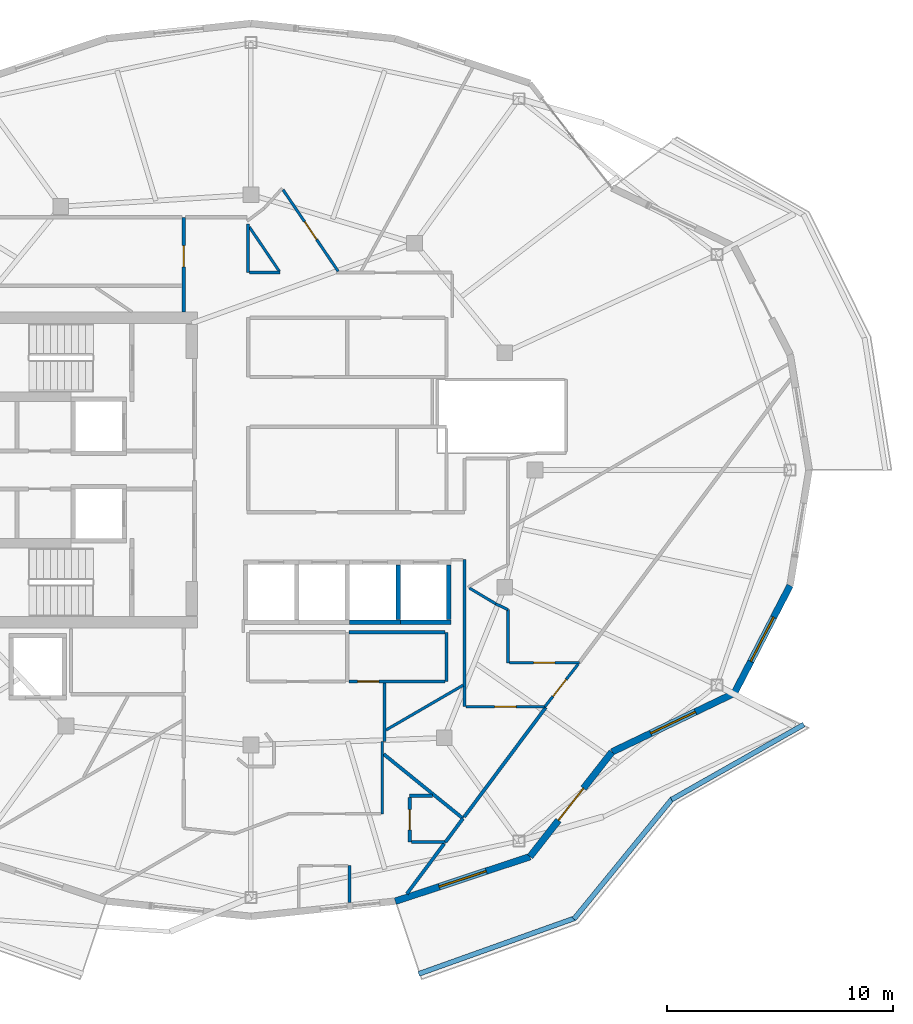
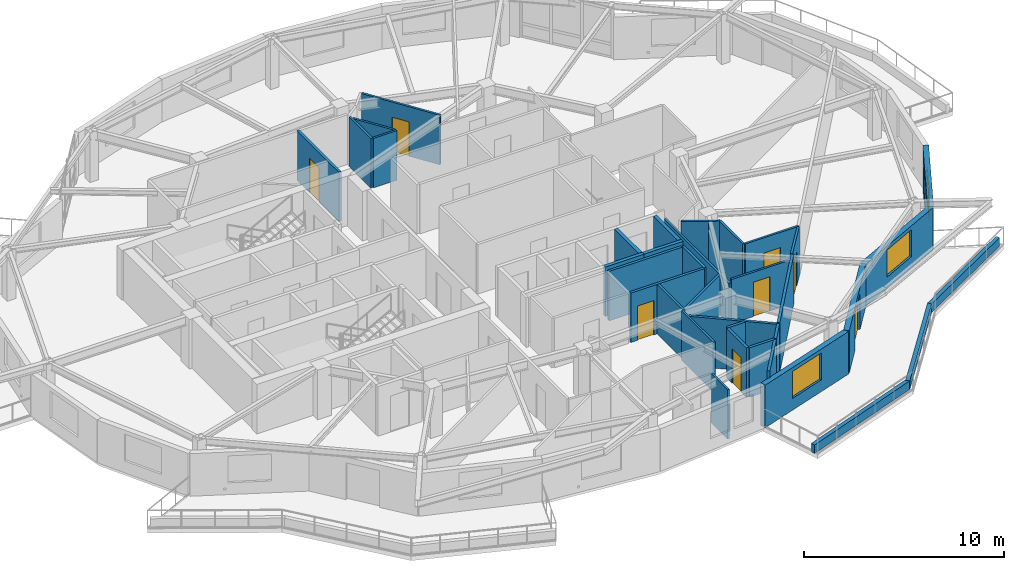
# One storey, part 7 of 12: 37 walls, 8 doors, 3 windows, 11 openings.
"""IFC4 building model written with IfcOpenShell, lengths in metres."""

import ifcopenshell
import ifcopenshell.guid

model = None  # the IFC model being written
_history = None  # IfcOwnerHistory: only IFC2X3 demands one
_inside = {}  # id of a spatial element -> (the spatial element, [elements in it])
_under = {}  # id of a project, library or spatial element -> (it, [spatial elements below it])
_declared = {}  # id of a project -> (the project, [libraries it declares])
_typed = {}  # id of a type object -> (the type object, [elements of that type])
_made_of = {}  # id of a material, layer set ... -> (it, [elements and type objects made of it])


def new_model(schema):
    """Start an empty IFC model of exactly this schema.

    Asked for "IFC4X3", IfcOpenShell would pick the latest addendum, in which some entities
    have other attributes; the version numbers below select the first issue.
    IFC2X3 requires an IfcOwnerHistory on every rooted entity: one is made here for all.
    """
    global model, _history
    if schema == "IFC4X3":
        model = ifcopenshell.file(schema_version=(4, 3, 0, 0))
    else:
        model = ifcopenshell.file(schema=schema)
    _inside.clear()
    _under.clear()
    _declared.clear()
    _typed.clear()
    _made_of.clear()
    _history = None
    if model.schema == "IFC2X3":
        org = make("IfcOrganization", Name="unknown")
        user = make(
            "IfcPersonAndOrganization",
            ThePerson=make("IfcPerson", FamilyName="unknown"),
            TheOrganization=org,
        )
        app = make(
            "IfcApplication",
            ApplicationDeveloper=org,
            Version="unknown",
            ApplicationFullName="unknown",
            ApplicationIdentifier="unknown",
        )
        _history = make(
            "IfcOwnerHistory",
            OwningUser=user,
            OwningApplication=app,
            ChangeAction="ADDED",
            CreationDate=0,
        )
    return model


def make(cls, **values):
    """One entity of the class cls with the attributes given. An attribute that is None is left unset."""
    return model.create_entity(
        cls, **{name: value for name, value in values.items() if value is not None}
    )


def rooted(cls, **values):
    """An entity with a GlobalId (a new one), such as an element, a storey or a relation."""
    return make(cls, GlobalId=ifcopenshell.guid.new(), OwnerHistory=_history, **values)


def si_unit(unit_type, name, prefix=None):
    """IfcSIUnit, for example si_unit("LENGTHUNIT", "METRE", prefix="MILLI")."""
    return make("IfcSIUnit", UnitType=unit_type, Prefix=prefix, Name=name)


def assignment(units):
    """IfcUnitAssignment: the units of a project."""
    return None if units is None else make("IfcUnitAssignment", Units=units)


def point(xyz):
    """IfcCartesianPoint."""
    return None if xyz is None else make("IfcCartesianPoint", Coordinates=xyz)


def direction(xyz):
    """IfcDirection."""
    return None if xyz is None else make("IfcDirection", DirectionRatios=xyz)


def frame(location, z_axis=None, x_axis=None):
    """IfcAxis2Placement3D, a coordinate frame: its origin and axes. An axis left out is left unset."""
    return make(
        "IfcAxis2Placement3D",
        Location=point(location),
        Axis=direction(z_axis),
        RefDirection=direction(x_axis),
    )


def frame_2d(location, x_axis=None):
    """IfcAxis2Placement2D, a coordinate frame in the plane: its origin and x axis."""
    return make(
        "IfcAxis2Placement2D", Location=point(location), RefDirection=direction(x_axis)
    )


def origin():
    """The frame at (0, 0, 0) with its axes left unset."""
    return frame((0.0, 0.0, 0.0))


def place(relative_to, where):
    """IfcLocalPlacement: puts the frame where relative to a parent placement (None: the world)."""
    return make(
        "IfcLocalPlacement", PlacementRelTo=relative_to, RelativePlacement=where
    )


def context(
    kind, dimensions, precision=None, world=None, true_north=None, identifier=None
):
    """IfcGeometricRepresentationContext, for example the 3D "Model" context."""
    return make(
        "IfcGeometricRepresentationContext",
        ContextIdentifier=identifier,
        ContextType=kind,
        CoordinateSpaceDimension=dimensions,
        Precision=precision,
        WorldCoordinateSystem=world,
        TrueNorth=true_north,
    )


def subcontext(parent, identifier, kind, view, scale=None):
    """IfcGeometricRepresentationSubContext, for example "Body" below "Model"."""
    return make(
        "IfcGeometricRepresentationSubContext",
        ContextIdentifier=identifier,
        ContextType=kind,
        ParentContext=parent,
        TargetScale=scale,
        TargetView=view,
    )


def project(units=None, contexts=None):
    """IfcProject with its units and contexts."""
    return rooted(
        "IfcProject",
        Name="project",
        RepresentationContexts=contexts,
        UnitsInContext=assignment(units),
    )


def spatial(cls, under=None, at=None, **own):
    """A site, building, storey or space (cls), placed at a placement, below another one or the project."""
    s = rooted(cls, ObjectPlacement=at, **own)
    if under is not None:
        _under.setdefault(under.id(), (under, []))[1].append(s)
    return s


def profile(cls, at=None, kind="AREA", **sizes):
    """A parametric profile (cls). Its sizes go by their IFC names, for example OverallWidth=200.0."""
    return make(cls, ProfileType=kind, Position=at, **sizes)


def rectangle(**sizes):
    """IfcRectangleProfileDef."""
    return profile("IfcRectangleProfileDef", **sizes)


def extrude(swept, where, along, depth):
    """IfcExtrudedAreaSolid: the profile swept, set in the frame where, extruded along a direction by depth."""
    return make(
        "IfcExtrudedAreaSolid",
        SweptArea=swept,
        Position=where,
        ExtrudedDirection=direction(along),
        Depth=depth,
    )


def shape(context_of_items, identifier, shape_type, items):
    """IfcShapeRepresentation: the items that make up one representation, for example the "Body"."""
    return make(
        "IfcShapeRepresentation",
        ContextOfItems=context_of_items,
        RepresentationIdentifier=identifier,
        RepresentationType=shape_type,
        Items=items,
    )


def material(Name=None, Category=None):
    """IfcMaterial."""
    return make("IfcMaterial", Name=Name, Category=Category)


def layer(
    of_material, thickness, ventilated=None, Name=None, Category=None, Priority=None
):
    """IfcMaterialLayer: one layer of a wall or slab, of a material (None: an air gap)."""
    return make(
        "IfcMaterialLayer",
        Material=of_material,
        LayerThickness=thickness,
        IsVentilated=ventilated,
        Name=Name,
        Category=Category,
        Priority=Priority,
    )


def layer_set(layers, Name=None):
    """IfcMaterialLayerSet."""
    return make("IfcMaterialLayerSet", MaterialLayers=layers, LayerSetName=Name)


def made_of(thing, what):
    """Note that an element or type object is made of a material, layer set ...; save() writes the relation."""
    if what is not None:
        _made_of.setdefault(what.id(), (what, []))[1].append(thing)
    return thing


def type_object(cls, material=None, **own):
    """A type object (cls), such as IfcWallType, which elements share."""
    return made_of(rooted(cls, **own), material)


def element(
    cls,
    number,
    at=None,
    inside=None,
    cuts=None,
    type_object=None,
    material=None,
    context=None,
    identifier="Body",
    shape_type=None,
    held_by="IfcProductDefinitionShape",
    body=None,
    shapes=None,
    **own,
):
    """One element of the class cls, such as IfcWall. Its Tag is "e" and its number.

    at: its placement. inside: the storey or other place that contains it. cuts: it is an
    opening in that element (IfcRelVoidsElement). A single representation is given by context,
    identifier, shape_type and body (its items); several are given by shapes. held_by: the class
    of the entity that holds the representations. save() writes the other relations.
    """
    e = rooted(cls, Tag="e%d" % number, ObjectPlacement=at, **own)
    if body is not None:
        shapes = [shape(context, identifier, shape_type, body)]
    if shapes is not None:
        e.Representation = make(held_by, Representations=shapes)
    if inside is not None:
        _inside.setdefault(inside.id(), (inside, []))[1].append(e)
    if cuts is not None:
        rooted(
            "IfcRelVoidsElement", RelatingBuildingElement=cuts, RelatedOpeningElement=e
        )
    if type_object is not None:
        _typed.setdefault(type_object.id(), (type_object, []))[1].append(e)
    return made_of(e, material)


def fill(opening, filler):
    """IfcRelFillsElement: the door or window that sits in an opening."""
    return rooted(
        "IfcRelFillsElement",
        RelatingOpeningElement=opening,
        RelatedBuildingElement=filler,
    )


def aggregate(whole, parts):
    """IfcRelAggregates: a whole, such as a stair, and the parts it consists of."""
    return rooted("IfcRelAggregates", RelatingObject=whole, RelatedObjects=parts)


def save(model, path):
    """Write the relations noted so far, then the file.

    IfcRelAggregates (storeys below a building ...), IfcRelContainedInSpatialStructure (elements
    in a storey), IfcRelDefinesByType, IfcRelAssociatesMaterial and IfcRelDeclares: one each for
    every whole, place, type object, material and project.
    """
    for whole, parts in _under.values():
        aggregate(whole, parts)
    for where, things in _inside.values():
        rooted(
            "IfcRelContainedInSpatialStructure",
            RelatedElements=things,
            RelatingStructure=where,
        )
    for kind, things in _typed.values():
        rooted("IfcRelDefinesByType", RelatedObjects=things, RelatingType=kind)
    for what, things in _made_of.values():
        rooted("IfcRelAssociatesMaterial", RelatedObjects=things, RelatingMaterial=what)
    for by, libraries in _declared.values():
        rooted("IfcRelDeclares", RelatingContext=by, RelatedDefinitions=libraries)
    model.write(path)


model = new_model("IFC4")

# Units and contexts
model_context = context("Model", 3, precision=1e-05, world=origin(), true_north=direction((0.0, 1.0)))
body_context = subcontext(model_context, "Body", "Model", "MODEL_VIEW")
ifc_project = project(units=[si_unit("LENGTHUNIT", "METRE"), si_unit("AREAUNIT", "SQUARE_METRE"), si_unit("VOLUMEUNIT", "CUBIC_METRE"), si_unit("PLANEANGLEUNIT", "RADIAN"), si_unit("MASSUNIT", "GRAM", prefix="KILO")], contexts=[model_context])

# Site, building, storey
site_placement = place(None, origin())
site = spatial("IfcSite", under=ifc_project, at=site_placement, CompositionType="ELEMENT")
building_placement = place(site_placement, origin())
building = spatial("IfcBuilding", under=site, at=building_placement, Name="Kolvaren Gate Tower and Convention Centre", CompositionType="ELEMENT")
storey_placement = place(building_placement, frame((0.0, 0.0, 199.699951171875)))
storey = spatial("IfcBuildingStorey", under=building, at=storey_placement, Name="L52", CompositionType="ELEMENT", Elevation=199.699951171875)

# Wall
ifc_material_1 = material(Name="Fire-Rated Acoustic Gypsum Stud Partition", Category="gypsum")
ifc_layer_1 = layer(ifc_material_1, 0.1201171875)
ifc_layer_set_1 = layer_set([ifc_layer_1], Name="Fire-Rated Acoustic Gypsum Stud Partition")
wall_type_1 = type_object("IfcWallType", Name="ARCH-WL-PART-120", PredefinedType="PARTITIONING", material=ifc_layer_set_1)
wall_1_placement = place(storey_placement, frame((30.0, 35.75, 0.0), z_axis=(0.0, 0.0, 1.0), x_axis=(0.0, 1.0, 0.0)))
element("IfcWall", 1, at=wall_1_placement, inside=storey, type_object=wall_type_1, Name="Interior Partition WL-L52-INT-017", PredefinedType="PARTITIONING", context=body_context, shape_type="SweptSolid", body=[
    extrude(rectangle(XDim=2.1640625, YDim=0.1201171875, at=frame_2d((1.08203125, 0.0))), origin(), (0.0, 0.0, 1.0), 3.030029296875),
])

# Wall, opening, door
wall_2_placement = place(storey_placement, frame((31.5458984375, 39.425048828125, 0.0), z_axis=(0.0, 0.0, 1.0), x_axis=(0.56035895857, -0.828249864202, 0.0)))
wall_2 = element("IfcWall", 2, at=wall_2_placement, inside=storey, type_object=wall_type_1, Name="Interior Partition WL-L52-INT-034", PredefinedType="PARTITIONING", context=body_context, shape_type="SweptSolid", body=[
    extrude(rectangle(XDim=4.370849609375, YDim=0.1201171875, at=frame_2d((2.185546875, 0.0))), origin(), (0.0, 0.0, 1.0), 3.030029296875),
])
opening_1_placement = place(wall_2_placement, frame((1.71044921875, 0.0, 0.0)))
opening_1 = element("IfcOpeningElement", 3, at=opening_1_placement, cuts=wall_2, Name="Opening DR-01", PredefinedType="OPENING", context=body_context, shape_type="SweptSolid", body=[
    extrude(rectangle(XDim=0.949951171875, YDim=2.10009765625, at=frame_2d((0.47509765625, 1.050048828125))), frame((0.0, 0.070068359375, 0.0), z_axis=(0.0, -1.0, 0.0), x_axis=(1.0, 0.0, 0.0)), (0.0, 0.0, 1.0), 0.14013671875),
])
ifc_material_2 = material(Name="Painted Architectural Steelwork ASTM A500 Grade C 345 MPa", Category="steel")
door_type_1 = type_object("IfcDoorType", Name="ARCH-DR-RISER-950", OperationType="SINGLE_SWING_RIGHT", PredefinedType="DOOR", material=ifc_material_2)
door_1_placement = place(opening_1_placement, origin())
door_1 = element("IfcDoor", 4, at=door_1_placement, inside=storey, type_object=door_type_1, Name="Resident Private Study and Home Office Door", OperationType="SINGLE_SWING_LEFT", OverallHeight=2.10009765625, OverallWidth=0.949951171875, PredefinedType="DOOR", context=body_context, shape_type="SweptSolid", body=[
    extrude(rectangle(XDim=0.949951171875, YDim=2.10009765625, at=frame_2d((0.47509765625, 1.050048828125))), frame((0.0, 0.02490234375, 0.0), z_axis=(0.0, -1.0, 0.0), x_axis=(1.0, 0.0, 0.0)), (0.0, 0.0, 1.0), 0.050048828125),
])
fill(opening_1, door_1)

# Walls
wall_3_placement = place(storey_placement, frame((30.06201171875, 35.75, 0.0), z_axis=(0.0, 0.0, 1.0), x_axis=(1.0, 0.0, 0.0)))
element("IfcWall", 5, at=wall_3_placement, inside=storey, type_object=wall_type_1, Name="Interior Partition WL-L52-INT-035", PredefinedType="PARTITIONING", context=body_context, shape_type="SweptSolid", body=[
    extrude(rectangle(XDim=1.362060546875, YDim=0.1201171875, at=frame_2d((0.68115234375, 0.0))), origin(), (0.0, 0.0, 1.0), 3.030029296875),
])
wall_4_placement = place(storey_placement, frame((39.60009765625, 16.5, 0.0), z_axis=(0.0, 0.0, 1.0), x_axis=(0.0, 1.0, 0.0)))
element("IfcWall", 6, at=wall_4_placement, inside=storey, type_object=wall_type_1, Name="Interior Partition WL-L52-INT-039", PredefinedType="PARTITIONING", context=body_context, shape_type="SweptSolid", body=[
    extrude(rectangle(XDim=6.52001953125, YDim=0.1201171875, at=frame_2d((3.260009765625, 0.0))), origin(), (0.0, 0.0, 1.0), 2.47802734375),
])
wall_5_placement = place(storey_placement, frame((41.52001953125, 18.449951171875, 0.0), z_axis=(0.0, 0.0, 1.0), x_axis=(0.0, 1.0, 0.0)))
element("IfcWall", 7, at=wall_5_placement, inside=storey, type_object=wall_type_1, Name="Interior Partition WL-L52-INT-042", PredefinedType="PARTITIONING", context=body_context, shape_type="SweptSolid", body=[
    extrude(rectangle(XDim=2.35693359375, YDim=0.1201171875, at=frame_2d((1.178466796875, 0.0))), origin(), (0.0, 0.0, 1.0), 3.030029296875),
])
wall_6_placement = place(storey_placement, frame((39.810302734375, 21.763916015625, 0.0), z_axis=(0.0, 0.0, 1.0), x_axis=(0.858011245414, -0.513630901273, 0.0)))
element("IfcWall", 8, at=wall_6_placement, inside=storey, type_object=wall_type_1, Name="Interior Partition WL-L52-INT-046", PredefinedType="PARTITIONING", context=body_context, shape_type="SweptSolid", body=[
    extrude(rectangle(XDim=1.370361328125, YDim=0.1201171875, at=frame_2d((0.68505859375, 0.0))), origin(), (0.0, 0.0, 1.0), 3.030029296875),
])
wall_7_placement = place(storey_placement, frame((40.986083984375, 21.06005859375, 0.0), z_axis=(0.0, 0.0, 1.0), x_axis=(0.90356951601, -0.428441512621, 0.0)))
element("IfcWall", 9, at=wall_7_placement, inside=storey, type_object=wall_type_1, Name="Interior Partition WL-L52-INT-047", PredefinedType="PARTITIONING", context=body_context, shape_type="SweptSolid", body=[
    extrude(rectangle(XDim=0.5908203125, YDim=0.1201171875, at=frame_2d((0.29541015625, 0.0))), origin(), (0.0, 0.0, 1.0), 3.030029296875),
])

# Wall, opening, door
wall_8_placement = place(storey_placement, frame((41.58203125, 18.449951171875, 0.0), z_axis=(0.0, 0.0, 1.0), x_axis=(1.0, 0.0, 0.0)))
wall_8 = element("IfcWall", 10, at=wall_8_placement, inside=storey, type_object=wall_type_1, Name="Interior Partition WL-L52-INT-048", PredefinedType="PARTITIONING", context=body_context, shape_type="SweptSolid", body=[
    extrude(rectangle(XDim=3.10205078125, YDim=0.1201171875, at=frame_2d((1.551025390625, 0.0))), origin(), (0.0, 0.0, 1.0), 3.030029296875),
])
opening_2_placement = place(wall_8_placement, frame((1.075927734375, 0.0, 0.0)))
opening_2 = element("IfcOpeningElement", 11, at=opening_2_placement, cuts=wall_8, Name="Opening DR-01", PredefinedType="OPENING", context=body_context, shape_type="SweptSolid", body=[
    extrude(rectangle(XDim=0.949951171875, YDim=2.10009765625, at=frame_2d((0.47509765625, 1.050048828125))), frame((0.0, 0.070068359375, 0.0), z_axis=(0.0, -1.0, 0.0), x_axis=(1.0, 0.0, 0.0)), (0.0, 0.0, 1.0), 0.14013671875),
])
door_2_placement = place(opening_2_placement, origin())
door_2 = element("IfcDoor", 12, at=door_2_placement, inside=storey, type_object=door_type_1, Name="Resident Private Study Door", OperationType="SINGLE_SWING_LEFT", OverallHeight=2.10009765625, OverallWidth=0.949951171875, PredefinedType="DOOR", context=body_context, shape_type="SweptSolid", body=[
    extrude(rectangle(XDim=0.949951171875, YDim=2.10009765625, at=frame_2d((0.47509765625, 1.050048828125))), frame((0.0, 0.02490234375, 0.0), z_axis=(0.0, -1.0, 0.0), x_axis=(1.0, 0.0, 0.0)), (0.0, 0.0, 1.0), 0.050048828125),
])
fill(opening_2, door_2)

wall_9_placement = place(storey_placement, frame((43.156982421875, 16.5, 0.0), z_axis=(0.0, 0.0, 1.0), x_axis=(0.616566276607, 0.787303008092, 0.0)))
wall_9 = element("IfcWall", 13, at=wall_9_placement, inside=storey, type_object=wall_type_1, Name="Interior Partition WL-L52-INT-049", PredefinedType="PARTITIONING", context=body_context, shape_type="SweptSolid", body=[
    extrude(rectangle(XDim=2.39794921875, YDim=0.1201171875, at=frame_2d((1.198974609375, 0.0))), origin(), (0.0, 0.0, 1.0), 3.030029296875),
])
opening_3_placement = place(wall_9_placement, frame((0.583984375, 0.0, 0.0)))
opening_3 = element("IfcOpeningElement", 14, at=opening_3_placement, cuts=wall_9, Name="Opening DR-01", PredefinedType="OPENING", context=body_context, shape_type="SweptSolid", body=[
    extrude(rectangle(XDim=0.949951171875, YDim=2.10009765625, at=frame_2d((0.47509765625, 1.050048828125))), frame((0.0, 0.070068359375, 0.0), z_axis=(0.0, -1.0, 0.0), x_axis=(1.0, 0.0, 0.0)), (0.0, 0.0, 1.0), 0.14013671875),
])
door_3_placement = place(opening_3_placement, origin())
door_3 = element("IfcDoor", 15, at=door_3_placement, inside=storey, type_object=door_type_1, Name="Resident Private Study and Home Office Door", OperationType="SINGLE_SWING_RIGHT", OverallHeight=2.10009765625, OverallWidth=0.949951171875, PredefinedType="DOOR", context=body_context, shape_type="SweptSolid", body=[
    extrude(rectangle(XDim=0.949951171875, YDim=2.10009765625, at=frame_2d((0.47509765625, 1.050048828125))), frame((0.0, 0.02490234375, 0.0), z_axis=(0.0, -1.0, 0.0), x_axis=(1.0, 0.0, 0.0)), (0.0, 0.0, 1.0), 0.050048828125),
])
fill(opening_3, door_3)

wall_10_placement = place(storey_placement, frame((39.662109375, 16.5, 0.0), z_axis=(0.0, 0.0, 1.0), x_axis=(1.0, 0.0, 0.0)))
wall_10 = element("IfcWall", 16, at=wall_10_placement, inside=storey, type_object=wall_type_1, Name="Interior Partition WL-L52-INT-050", PredefinedType="PARTITIONING", context=body_context, shape_type="SweptSolid", body=[
    extrude(rectangle(XDim=3.494873046875, YDim=0.1201171875, at=frame_2d((1.74755859375, 0.0))), origin(), (0.0, 0.0, 1.0), 2.712158203125),
])
opening_4_placement = place(wall_10_placement, frame((1.2724609375, 0.0, 0.0)))
opening_4 = element("IfcOpeningElement", 17, at=opening_4_placement, cuts=wall_10, Name="Opening DR-01", PredefinedType="OPENING", context=body_context, shape_type="SweptSolid", body=[
    extrude(rectangle(XDim=0.949951171875, YDim=2.10009765625, at=frame_2d((0.47509765625, 1.050048828125))), frame((0.0, 0.070068359375, 0.0), z_axis=(0.0, -1.0, 0.0), x_axis=(1.0, 0.0, 0.0)), (0.0, 0.0, 1.0), 0.14013671875),
])
door_4_placement = place(opening_4_placement, origin())
door_4 = element("IfcDoor", 18, at=door_4_placement, inside=storey, type_object=door_type_1, Name="Resident Private Study Door", OperationType="SINGLE_SWING_LEFT", OverallHeight=2.10009765625, OverallWidth=0.949951171875, PredefinedType="DOOR", context=body_context, shape_type="SweptSolid", body=[
    extrude(rectangle(XDim=0.949951171875, YDim=2.10009765625, at=frame_2d((0.47509765625, 1.050048828125))), frame((0.0, 0.02490234375, 0.0), z_axis=(0.0, -1.0, 0.0), x_axis=(1.0, 0.0, 0.0)), (0.0, 0.0, 1.0), 0.050048828125),
])
fill(opening_4, door_4)

# Walls
wall_11_placement = place(storey_placement, frame((36.050048828125, 14.949951171875, 0.0), z_axis=(0.0, 0.0, 1.0), x_axis=(0.0, 1.0, 0.0)))
element("IfcWall", 19, at=wall_11_placement, inside=storey, type_object=wall_type_1, Name="Interior Partition WL-L52-INT-053", PredefinedType="PARTITIONING", context=body_context, shape_type="SweptSolid", body=[
    extrude(rectangle(XDim=2.593017578125, YDim=0.1201171875, at=frame_2d((1.29638671875, 0.0))), origin(), (0.0, 0.0, 1.0), 3.030029296875),
])
wall_12_placement = place(storey_placement, frame((35.949951171875, 11.75, 0.0), z_axis=(0.0, 0.0, 1.0), x_axis=(0.0, 1.0, 0.0)))
element("IfcWall", 20, at=wall_12_placement, inside=storey, type_object=wall_type_1, Name="Interior Partition WL-L52-INT-054", PredefinedType="PARTITIONING", context=body_context, shape_type="SweptSolid", body=[
    extrude(rectangle(XDim=3.199951171875, YDim=0.1201171875, at=frame_2d((1.60009765625, 0.0))), origin(), (0.0, 0.0, 1.0), 3.030029296875),
])
wall_13_placement = place(storey_placement, frame((30.06201171875, 37.76318359375, 0.0), z_axis=(0.0, 0.0, 1.0), x_axis=(0.560355372245, -0.828252290547, 0.0)))
element("IfcWall", 21, at=wall_13_placement, inside=storey, type_object=wall_type_1, Name="Interior Partition WL-L52-INT-058", PredefinedType="PARTITIONING", context=body_context, shape_type="SweptSolid", body=[
    extrude(rectangle(XDim=2.355712890625, YDim=0.1201171875, at=frame_2d((1.177734375, 0.0))), origin(), (0.0, 0.0, 1.0), 3.030029296875),
])
wall_14_placement = place(storey_placement, frame((36.112060546875, 15.4658203125, 0.0), z_axis=(0.0, 0.0, 1.0), x_axis=(0.864713842027, 0.502264841898, 0.0)))
element("IfcWall", 22, at=wall_14_placement, inside=storey, type_object=wall_type_1, Name="Interior Partition WL-L52-INT-066", PredefinedType="PARTITIONING", context=body_context, shape_type="SweptSolid", body=[
    extrude(rectangle(XDim=3.9619140625, YDim=0.1201171875, at=frame_2d((1.98095703125, 0.0))), origin(), (0.0, 0.0, 1.0), 2.47802734375),
])
wall_15_placement = place(storey_placement, frame((34.5, 7.813720703125, 0.0), z_axis=(0.0, 0.0, 1.0), x_axis=(0.0, 1.0, 0.0)))
element("IfcWall", 23, at=wall_15_placement, inside=storey, type_object=wall_type_1, Name="Interior Partition WL-L52-INT-072", PredefinedType="PARTITIONING", context=body_context, shape_type="SweptSolid", body=[
    extrude(rectangle(XDim=1.63623046875, YDim=0.1201171875, at=frame_2d((0.818115234375, 0.0))), origin(), (0.0, 0.0, 1.0), 3.030029296875),
])
ifc_material_3 = material(Name="Piedmont Cream Honed Limestone Cladding", Category="masonry")
ifc_layer_2 = layer(ifc_material_3, 0.219970703125)
ifc_layer_set_2 = layer_set([ifc_layer_2], Name="Piedmont Cream Honed Limestone Cladding")
wall_type_2 = type_object("IfcWallType", Name="ARCH-WL-PLANTER-220", PredefinedType="PARAPET", material=ifc_layer_set_2)
wall_16_placement = place(storey_placement, frame((37.564697265625, 4.65283203125, 0.0), z_axis=(0.0, 0.0, 1.0), x_axis=(0.941780086523, 0.336229488042, 0.0)))
element("IfcWall", 24, at=wall_16_placement, inside=storey, type_object=wall_type_2, Name="Vertical-Forest Balcony Stone Planter Kerb PK-L52-4.1", PredefinedType="PARAPET", context=body_context, shape_type="SweptSolid", body=[
    extrude(rectangle(XDim=7.3779296875, YDim=0.219970703125, at=frame_2d((3.68896484375, 0.0))), origin(), (0.0, 0.0, 1.0), 0.52001953125),
])
wall_17_placement = place(storey_placement, frame((44.4482421875, 7.087158203125, 0.0), z_axis=(0.0, 0.0, 1.0), x_axis=(0.632697312147, 0.774399193699, 0.0)))
element("IfcWall", 25, at=wall_17_placement, inside=storey, type_object=wall_type_2, Name="Vertical-Forest Balcony Stone Planter Kerb PK-L52-4.2", PredefinedType="PARAPET", context=body_context, shape_type="SweptSolid", body=[
    extrude(rectangle(XDim=6.9140625, YDim=0.219970703125, at=frame_2d((3.45703125, 0.0))), origin(), (0.0, 0.0, 1.0), 0.52001953125),
])
wall_18_placement = place(storey_placement, frame((48.7763671875, 12.38330078125, 0.0), z_axis=(0.0, 0.0, 1.0), x_axis=(0.869860619267, 0.493297580623, 0.0)))
element("IfcWall", 26, at=wall_18_placement, inside=storey, type_object=wall_type_2, Name="Vertical-Forest Balcony Stone Planter Kerb PK-L52-4.3", PredefinedType="PARAPET", context=body_context, shape_type="SweptSolid", body=[
    extrude(rectangle(XDim=6.74267578125, YDim=0.219970703125, at=frame_2d((3.371337890625, 0.0))), origin(), (0.0, 0.0, 1.0), 0.52001953125),
])
ifc_material_4 = material(Name="Autoclaved Aerated Masonry Blockwork Class 4 (4.0 MPa)", Category="masonry")
ifc_layer_3 = layer(ifc_material_4, 0.199951171875)
ifc_layer_set_3 = layer_set([ifc_layer_3], Name="Autoclaved Aerated Masonry Blockwork Class 4 (4.0 MPa)")
wall_type_3 = type_object("IfcWallType", Name="ARCH-WL-SHAFT-200", PredefinedType="SOLIDWALL", material=ifc_layer_set_3)
wall_19_placement = place(storey_placement, frame((34.5, 20.25, 0.0), z_axis=(0.0, 0.0, 1.0), x_axis=(1.0, 0.0, 0.0)))
element("IfcWall", 27, at=wall_19_placement, inside=storey, type_object=wall_type_3, Name="Elevator PL-11 L52 Fire Shaft Wall S", PredefinedType="SOLIDWALL", context=body_context, shape_type="SweptSolid", body=[
    extrude(rectangle(XDim=2.25, YDim=0.199951171875, at=frame_2d((1.125, 0.0))), origin(), (0.0, 0.0, 1.0), 3.030029296875),
])
wall_20_placement = place(storey_placement, frame((36.64990234375, 20.360107421875, 0.0), z_axis=(0.0, 0.0, 1.0), x_axis=(0.0, 1.0, 0.0)))
element("IfcWall", 28, at=wall_20_placement, inside=storey, type_object=wall_type_3, Name="Elevator PL-11 L52 Fire Shaft Wall E", PredefinedType="SOLIDWALL", context=body_context, shape_type="SweptSolid", body=[
    extrude(rectangle(XDim=2.429931640625, YDim=0.199951171875, at=frame_2d((1.21484375, 0.0))), origin(), (0.0, 0.0, 1.0), 3.030029296875),
])
wall_21_placement = place(storey_placement, frame((36.75, 20.25, 0.0), z_axis=(0.0, 0.0, 1.0), x_axis=(1.0, 0.0, 0.0)))
element("IfcWall", 29, at=wall_21_placement, inside=storey, type_object=wall_type_3, Name="Elevator PL-12 L52 Fire Shaft Wall S", PredefinedType="SOLIDWALL", context=body_context, shape_type="SweptSolid", body=[
    extrude(rectangle(XDim=2.25, YDim=0.199951171875, at=frame_2d((1.125, 0.0))), origin(), (0.0, 0.0, 1.0), 3.030029296875),
])
wall_22_placement = place(storey_placement, frame((38.89990234375, 20.360107421875, 0.0), z_axis=(0.0, 0.0, 1.0), x_axis=(0.0, 1.0, 0.0)))
element("IfcWall", 30, at=wall_22_placement, inside=storey, type_object=wall_type_3, Name="Elevator PL-12 L52 Fire Shaft Wall E", PredefinedType="SOLIDWALL", context=body_context, shape_type="SweptSolid", body=[
    extrude(rectangle(XDim=2.429931640625, YDim=0.199951171875, at=frame_2d((1.21484375, 0.0))), origin(), (0.0, 0.0, 1.0), 3.030029296875),
])

# Wall, opening, window
ifc_layer_4 = layer(ifc_material_3, 0.300048828125)
ifc_layer_set_4 = layer_set([ifc_layer_4], Name="Piedmont Cream Honed Limestone Cladding")
wall_type_4 = type_object("IfcWallType", Name="ARCH-WL-STONE-300", PredefinedType="SOLIDWALL", material=ifc_layer_set_4)
wall_23_placement = place(storey_placement, frame((36.53076171875, 7.874755859375, 0.0), z_axis=(0.0, 0.0, 1.0), x_axis=(0.949240877604, 0.314550085495, 0.0)))
wall_23 = element("IfcWall", 31, at=wall_23_placement, inside=storey, type_object=wall_type_4, Name="Tower L52 Honed Stone Spandrel Wall EW-19", PredefinedType="SOLIDWALL", context=body_context, shape_type="SweptSolid", body=[
    extrude(rectangle(XDim=6.288330078125, YDim=0.300048828125, at=frame_2d((3.14404296875, 0.0))), origin(), (0.0, 0.0, 1.0), 2.60498046875),
])
opening_5_placement = place(wall_23_placement, frame((2.0439453125, 0.0, 0.719970703125)))
opening_5 = element("IfcOpeningElement", 32, at=opening_5_placement, cuts=wall_23, Name="Opening W-03", PredefinedType="OPENING", context=body_context, shape_type="SweptSolid", body=[
    extrude(rectangle(XDim=2.199951171875, YDim=1.64990234375, at=frame_2d((1.10009765625, 0.824951171875))), frame((0.0, 0.159912109375, 0.0), z_axis=(0.0, -1.0, 0.0), x_axis=(1.0, 0.0, 0.0)), (0.0, 0.0, 1.0), 0.320068359375),
])
ifc_material_5 = material(Name="Low-E Triple Insulated Glazing Unit 44 mm", Category="glass")
window_type = type_object("IfcWindowType", Name="ARCH-WN-RES-2200", PartitioningType="SINGLE_PANEL", PredefinedType="WINDOW", material=ifc_material_5)
window_1_placement = place(opening_5_placement, origin())
window_1 = element("IfcWindow", 33, at=window_1_placement, inside=storey, type_object=window_type, Name="Tower L52 Punched Stone Facade Window W-19", OverallHeight=1.64990234375, OverallWidth=2.199951171875, PartitioningType="SINGLE_PANEL", PredefinedType="WINDOW", context=body_context, shape_type="SweptSolid", body=[
    extrude(rectangle(XDim=2.199951171875, YDim=1.64990234375, at=frame_2d((1.10009765625, 0.824951171875))), frame((0.0, 0.030029296875, 0.0), z_axis=(0.0, -1.0, 0.0), x_axis=(1.0, 0.0, 0.0)), (0.0, 0.0, 1.0), 0.06005859375),
])
fill(opening_5, window_1)

# Wall, opening, door
wall_24_placement = place(storey_placement, frame((42.5, 9.852783203125, 0.0), z_axis=(0.0, 0.0, 1.0), x_axis=(0.616450126935, 0.787393955401, 0.0)))
wall_24 = element("IfcWall", 34, at=wall_24_placement, inside=storey, type_object=wall_type_4, Name="Tower L52 Honed Stone Spandrel Wall EW-20", PredefinedType="SOLIDWALL", context=body_context, shape_type="SweptSolid", body=[
    extrude(rectangle(XDim=5.892822265625, YDim=0.300048828125, at=frame_2d((2.9462890625, 0.0))), origin(), (0.0, 0.0, 1.0), 2.60498046875),
])
opening_6_placement = place(wall_24_placement, frame((2.0458984375, 0.0, 0.0)))
opening_6 = element("IfcOpeningElement", 35, at=opening_6_placement, cuts=wall_24, Name="Opening DB-01", PredefinedType="OPENING", context=body_context, shape_type="SweptSolid", body=[
    extrude(rectangle(XDim=1.800048828125, YDim=2.25, at=frame_2d((0.89990234375, 1.125))), frame((0.0, 0.159912109375, 0.0), z_axis=(0.0, -1.0, 0.0), x_axis=(1.0, 0.0, 0.0)), (0.0, 0.0, 1.0), 0.320068359375),
])
ifc_material_6 = material(Name="Anodized Architectural Aluminium Alloy 6063-T6", Category="aluminium")
door_type_2 = type_object("IfcDoorType", Name="ARCH-DR-BALC-1800", OperationType="SLIDING_TO_LEFT", PredefinedType="DOOR", material=ifc_material_6)
door_5_placement = place(opening_6_placement, frame((1.800048828125, 0.0, 0.0), z_axis=(0.0, 0.0, 1.0), x_axis=(-1.0, 0.0, 0.0)))
door_5 = element("IfcDoor", 36, at=door_5_placement, inside=storey, type_object=door_type_2, Name="Planted Sky Terrace Access Door DB-L52-20", OperationType="SLIDING_TO_LEFT", OverallHeight=2.25, OverallWidth=1.800048828125, PredefinedType="DOOR", context=body_context, shape_type="SweptSolid", body=[
    extrude(rectangle(XDim=1.800048828125, YDim=2.25, at=frame_2d((0.89990234375, 1.125))), frame((0.0, 0.02490234375, 0.0), z_axis=(0.0, -1.0, 0.0), x_axis=(1.0, 0.0, 0.0)), (0.0, 0.0, 1.0), 0.050048828125),
])
fill(opening_6, door_5)

# Wall, opening, window
wall_25_placement = place(storey_placement, frame((46.132568359375, 14.49267578125, 0.0), z_axis=(0.0, 0.0, 1.0), x_axis=(0.901348331142, 0.433094892545, 0.0)))
wall_25 = element("IfcWall", 37, at=wall_25_placement, inside=storey, type_object=wall_type_4, Name="Tower L52 Honed Stone Spandrel Wall EW-21", PredefinedType="SOLIDWALL", context=body_context, shape_type="SweptSolid", body=[
    extrude(rectangle(XDim=6.0205078125, YDim=0.300048828125, at=frame_2d((3.01025390625, 0.0))), origin(), (0.0, 0.0, 1.0), 2.60498046875),
])
opening_7_placement = place(wall_25_placement, frame((1.909912109375, 0.0, 0.719970703125)))
opening_7 = element("IfcOpeningElement", 38, at=opening_7_placement, cuts=wall_25, Name="Opening W-03", PredefinedType="OPENING", context=body_context, shape_type="SweptSolid", body=[
    extrude(rectangle(XDim=2.199951171875, YDim=1.64990234375, at=frame_2d((1.10009765625, 0.824951171875))), frame((0.0, 0.159912109375, 0.0), z_axis=(0.0, -1.0, 0.0), x_axis=(1.0, 0.0, 0.0)), (0.0, 0.0, 1.0), 0.320068359375),
])
window_2_placement = place(opening_7_placement, origin())
window_2 = element("IfcWindow", 39, at=window_2_placement, inside=storey, type_object=window_type, Name="Tower L52 Punched Stone Facade Window W-21", OverallHeight=1.64990234375, OverallWidth=2.199951171875, PartitioningType="SINGLE_PANEL", PredefinedType="WINDOW", context=body_context, shape_type="SweptSolid", body=[
    extrude(rectangle(XDim=2.199951171875, YDim=1.64990234375, at=frame_2d((1.10009765625, 0.824951171875))), frame((0.0, 0.030029296875, 0.0), z_axis=(0.0, -1.0, 0.0), x_axis=(1.0, 0.0, 0.0)), (0.0, 0.0, 1.0), 0.06005859375),
])
fill(opening_7, window_2)

wall_26_placement = place(storey_placement, frame((51.55908203125, 17.10009765625, 0.0), z_axis=(0.0, 0.0, 1.0), x_axis=(0.459808219482, 0.888018243786, 0.0)))
wall_26 = element("IfcWall", 40, at=wall_26_placement, inside=storey, type_object=wall_type_4, Name="Tower L52 Honed Stone Spandrel Wall EW-22", PredefinedType="SOLIDWALL", context=body_context, shape_type="SweptSolid", body=[
    extrude(rectangle(XDim=5.377685546875, YDim=0.300048828125, at=frame_2d((2.68896484375, 0.0))), origin(), (0.0, 0.0, 1.0), 2.60498046875),
])
opening_8_placement = place(wall_26_placement, frame((1.589111328125, 0.0, 0.719970703125)))
opening_8 = element("IfcOpeningElement", 41, at=opening_8_placement, cuts=wall_26, Name="Opening W-03", PredefinedType="OPENING", context=body_context, shape_type="SweptSolid", body=[
    extrude(rectangle(XDim=2.199951171875, YDim=1.64990234375, at=frame_2d((1.10009765625, 0.824951171875))), frame((0.0, 0.159912109375, 0.0), z_axis=(0.0, -1.0, 0.0), x_axis=(1.0, 0.0, 0.0)), (0.0, 0.0, 1.0), 0.320068359375),
])
window_3_placement = place(opening_8_placement, origin())
window_3 = element("IfcWindow", 42, at=window_3_placement, inside=storey, type_object=window_type, Name="Tower L52 Punched Stone Facade Window W-22", OverallHeight=1.64990234375, OverallWidth=2.199951171875, PartitioningType="SINGLE_PANEL", PredefinedType="WINDOW", context=body_context, shape_type="SweptSolid", body=[
    extrude(rectangle(XDim=2.199951171875, YDim=1.64990234375, at=frame_2d((1.10009765625, 0.824951171875))), frame((0.0, 0.030029296875, 0.0), z_axis=(0.0, -1.0, 0.0), x_axis=(1.0, 0.0, 0.0)), (0.0, 0.0, 1.0), 0.06005859375),
])
fill(opening_8, window_3)

# Wall, opening, door
ifc_material_7 = material(Name="Moisture-Resistant Cement-Board Acoustic Partition", Category="gypsum")
ifc_layer_5 = layer(ifc_material_7, 0.14990234375)
ifc_layer_set_5 = layer_set([ifc_layer_5], Name="Moisture-Resistant Cement-Board Acoustic Partition")
wall_type_5 = type_object("IfcWallType", Name="ARCH-WL-WET-150", PredefinedType="PARTITIONING", material=ifc_layer_set_5)
wall_27_placement = place(storey_placement, frame((27.14990234375, 34.001953125, 0.0), z_axis=(0.0, 0.0, 1.0), x_axis=(0.0, 1.0, 0.0)))
wall_27 = element("IfcWall", 43, at=wall_27_placement, inside=storey, type_object=wall_type_5, Name="Interior Partition WL-L52-INT-012", PredefinedType="PARTITIONING", context=body_context, shape_type="SweptSolid", body=[
    extrude(rectangle(XDim=4.197998046875, YDim=0.14990234375, at=frame_2d((2.09912109375, 0.0))), origin(), (0.0, 0.0, 1.0), 3.030029296875),
])
opening_9_placement = place(wall_27_placement, frame((1.998046875, 0.0, 0.0)))
opening_9 = element("IfcOpeningElement", 44, at=opening_9_placement, cuts=wall_27, Name="Opening DR-01", PredefinedType="OPENING", context=body_context, shape_type="SweptSolid", body=[
    extrude(rectangle(XDim=0.949951171875, YDim=2.10009765625, at=frame_2d((0.47509765625, 1.050048828125))), frame((0.0, 0.0849609375, 0.0), z_axis=(0.0, -1.0, 0.0), x_axis=(1.0, 0.0, 0.0)), (0.0, 0.0, 1.0), 0.169921875),
])
door_6_placement = place(opening_9_placement, origin())
door_6 = element("IfcDoor", 45, at=door_6_placement, inside=storey, type_object=door_type_1, Name="Reclaimed North Resident Store Door", OperationType="SINGLE_SWING_RIGHT", OverallHeight=2.10009765625, OverallWidth=0.949951171875, PredefinedType="DOOR", context=body_context, shape_type="SweptSolid", body=[
    extrude(rectangle(XDim=0.949951171875, YDim=2.10009765625, at=frame_2d((0.47509765625, 1.050048828125))), frame((0.0, 0.02490234375, 0.0), z_axis=(0.0, -1.0, 0.0), x_axis=(1.0, 0.0, 0.0)), (0.0, 0.0, 1.0), 0.050048828125),
])
fill(opening_9, door_6)

# Wall
wall_28_placement = place(storey_placement, frame((38.800048828125, 17.6201171875, 0.0), z_axis=(0.0, 0.0, 1.0), x_axis=(0.0, 1.0, 0.0)))
element("IfcWall", 46, at=wall_28_placement, inside=storey, type_object=wall_type_5, Name="Interior Partition WL-L52-INT-020", PredefinedType="PARTITIONING", context=body_context, shape_type="SweptSolid", body=[
    extrude(rectangle(XDim=2.179931640625, YDim=0.14990234375, at=frame_2d((1.08984375, 0.0))), origin(), (0.0, 0.0, 1.0), 3.030029296875),
])

# Wall, opening, door
wall_29_placement = place(storey_placement, frame((34.47705078125, 17.6201171875, 0.0), z_axis=(0.0, 0.0, 1.0), x_axis=(1.0, 0.0, 0.0)))
wall_29 = element("IfcWall", 47, at=wall_29_placement, inside=storey, type_object=wall_type_5, Name="Interior Partition WL-L52-INT-027 (2)", PredefinedType="PARTITIONING", context=body_context, shape_type="SweptSolid", body=[
    extrude(rectangle(XDim=4.245849609375, YDim=0.14990234375, at=frame_2d((2.123046875, 0.0))), origin(), (0.0, 0.0, 1.0), 3.030029296875),
])
opening_10_placement = place(wall_29_placement, frame((0.37646484375, 0.0, 0.0)))
opening_10 = element("IfcOpeningElement", 48, at=opening_10_placement, cuts=wall_29, Name="Opening DR-01", PredefinedType="OPENING", context=body_context, shape_type="SweptSolid", body=[
    extrude(rectangle(XDim=0.949951171875, YDim=2.10009765625, at=frame_2d((0.47509765625, 1.050048828125))), frame((0.0, 0.0849609375, 0.0), z_axis=(0.0, -1.0, 0.0), x_axis=(1.0, 0.0, 0.0)), (0.0, 0.0, 1.0), 0.169921875),
])
door_7_placement = place(opening_10_placement, origin())
door_7 = element("IfcDoor", 49, at=door_7_placement, inside=storey, type_object=door_type_1, Name="Parcel Cold Store Door", OperationType="SINGLE_SWING_LEFT", OverallHeight=2.10009765625, OverallWidth=0.949951171875, PredefinedType="DOOR", context=body_context, shape_type="SweptSolid", body=[
    extrude(rectangle(XDim=0.949951171875, YDim=2.10009765625, at=frame_2d((0.47509765625, 1.050048828125))), frame((0.0, 0.02490234375, 0.0), z_axis=(0.0, -1.0, 0.0), x_axis=(1.0, 0.0, 0.0)), (0.0, 0.0, 1.0), 0.050048828125),
])
fill(opening_10, door_7)

# Walls
wall_30_placement = place(storey_placement, frame((34.47705078125, 19.800048828125, 0.0), z_axis=(0.0, 0.0, 1.0), x_axis=(1.0, 0.0, 0.0)))
element("IfcWall", 50, at=wall_30_placement, inside=storey, type_object=wall_type_5, Name="Interior Partition WL-L52-INT-028 (2)", PredefinedType="PARTITIONING", context=body_context, shape_type="SweptSolid", body=[
    extrude(rectangle(XDim=4.245849609375, YDim=0.14990234375, at=frame_2d((2.123046875, 0.0))), origin(), (0.0, 0.0, 1.0), 3.030029296875),
])
wall_31_placement = place(storey_placement, frame((36.011962890625, 14.397705078125, 0.0), z_axis=(0.0, 0.0, 1.0), x_axis=(0.776797795694, -0.629750096947, 0.0)))
element("IfcWall", 51, at=wall_31_placement, inside=storey, type_object=wall_type_5, Name="Interior Partition WL-L52-INT-067", PredefinedType="PARTITIONING", context=body_context, shape_type="SweptSolid", body=[
    extrude(rectangle(XDim=4.529296875, YDim=0.14990234375, at=frame_2d((2.2646484375, 0.0))), origin(), (0.0, 0.0, 1.0), 3.030029296875),
])
wall_32_placement = place(storey_placement, frame((37.159912109375, 12.550048828125, 0.0), z_axis=(0.0, 0.0, 1.0), x_axis=(1.0, 0.0, 0.0)))
element("IfcWall", 52, at=wall_32_placement, inside=storey, type_object=wall_type_5, Name="Interior Partition WL-L52-INT-068", PredefinedType="PARTITIONING", context=body_context, shape_type="SweptSolid", body=[
    extrude(rectangle(XDim=1.0087890625, YDim=0.14990234375, at=frame_2d((0.50439453125, 0.0))), origin(), (0.0, 0.0, 1.0), 3.030029296875),
])

# Wall, opening, door
wall_33_placement = place(storey_placement, frame((37.159912109375, 10.5, 0.0), z_axis=(0.0, 0.0, 1.0), x_axis=(0.0, 1.0, 0.0)))
wall_33 = element("IfcWall", 53, at=wall_33_placement, inside=storey, type_object=wall_type_5, Name="Interior Partition WL-L52-INT-069", PredefinedType="PARTITIONING", context=body_context, shape_type="SweptSolid", body=[
    extrude(rectangle(XDim=1.972900390625, YDim=0.14990234375, at=frame_2d((0.986328125, 0.0))), origin(), (0.0, 0.0, 1.0), 3.030029296875),
])
opening_11_placement = place(wall_33_placement, frame((0.53662109375, 0.0, 0.0)))
opening_11 = element("IfcOpeningElement", 54, at=opening_11_placement, cuts=wall_33, Name="Opening DW-01", PredefinedType="OPENING", context=body_context, shape_type="SweptSolid", body=[
    extrude(rectangle(XDim=0.89990234375, YDim=2.10009765625, at=frame_2d((0.449951171875, 1.050048828125))), frame((0.0, 0.0849609375, 0.0), z_axis=(0.0, -1.0, 0.0), x_axis=(1.0, 0.0, 0.0)), (0.0, 0.0, 1.0), 0.169921875),
])
ifc_material_8 = material(Name="FSC Andean Oak Engineered Veneer Door Leaf", Category="wood")
door_type_3 = type_object("IfcDoorType", Name="ARCH-DR-WC-900", OperationType="SINGLE_SWING_RIGHT", PredefinedType="DOOR", material=ifc_material_8)
door_8_placement = place(opening_11_placement, origin())
door_8 = element("IfcDoor", 55, at=door_8_placement, inside=storey, type_object=door_type_3, Name="Studio Bathroom (APT-L52-01) Door", OperationType="SINGLE_SWING_LEFT", OverallHeight=2.10009765625, OverallWidth=0.89990234375, PredefinedType="DOOR", context=body_context, shape_type="SweptSolid", body=[
    extrude(rectangle(XDim=0.89990234375, YDim=2.10009765625, at=frame_2d((0.449951171875, 1.050048828125))), frame((0.0, 0.02490234375, 0.0), z_axis=(0.0, -1.0, 0.0), x_axis=(1.0, 0.0, 0.0)), (0.0, 0.0, 1.0), 0.050048828125),
])
fill(opening_11, door_8)

# Walls
wall_34_placement = place(storey_placement, frame((37.237060546875, 10.5, 0.0), z_axis=(0.0, 0.0, 1.0), x_axis=(1.0, 0.0, 0.0)))
element("IfcWall", 56, at=wall_34_placement, inside=storey, type_object=wall_type_5, Name="Interior Partition WL-L52-INT-070", PredefinedType="PARTITIONING", context=body_context, shape_type="SweptSolid", body=[
    extrude(rectangle(XDim=1.513916015625, YDim=0.14990234375, at=frame_2d((0.7568359375, 0.0))), origin(), (0.0, 0.0, 1.0), 3.030029296875),
])
wall_35_placement = place(storey_placement, frame((37.038330078125, 8.202880859375, 0.0), z_axis=(0.0, 0.0, 1.0), x_axis=(0.59771249227, 0.801710531666, 0.0)))
element("IfcWall", 57, at=wall_35_placement, inside=storey, type_object=wall_type_5, Name="Interior Partition WL-L52-INT-071", PredefinedType="PARTITIONING", context=body_context, shape_type="SweptSolid", body=[
    extrude(rectangle(XDim=2.769287109375, YDim=0.14990234375, at=frame_2d((1.384765625, 0.0))), origin(), (0.0, 0.0, 1.0), 3.030029296875),
])
wall_36_placement = place(storey_placement, frame((38.7509765625, 10.5, 0.0), z_axis=(0.0, 0.0, 1.0), x_axis=(0.597815740709, 0.801633544807, 0.0)))
element("IfcWall", 58, at=wall_36_placement, inside=storey, type_object=wall_type_5, Name="Interior Partition WL-L52-INT-071 (2)", PredefinedType="PARTITIONING", context=body_context, shape_type="SweptSolid", body=[
    extrude(rectangle(XDim=1.306884765625, YDim=0.14990234375, at=frame_2d((0.6533203125, 0.0))), origin(), (0.0, 0.0, 1.0), 3.030029296875),
])
wall_37_placement = place(storey_placement, frame((39.576416015625, 11.60693359375, 0.0), z_axis=(0.0, 0.0, 1.0), x_axis=(0.597735703185, 0.801693226326, 0.0)))
element("IfcWall", 59, at=wall_37_placement, inside=storey, type_object=wall_type_5, Name="Interior Partition WL-L52-INT-071 (3)", PredefinedType="PARTITIONING", context=body_context, shape_type="SweptSolid", body=[
    extrude(rectangle(XDim=6.061767578125, YDim=0.14990234375, at=frame_2d((3.03076171875, 0.0))), origin(), (0.0, 0.0, 1.0), 3.030029296875),
])

save(model, "model.ifc")
